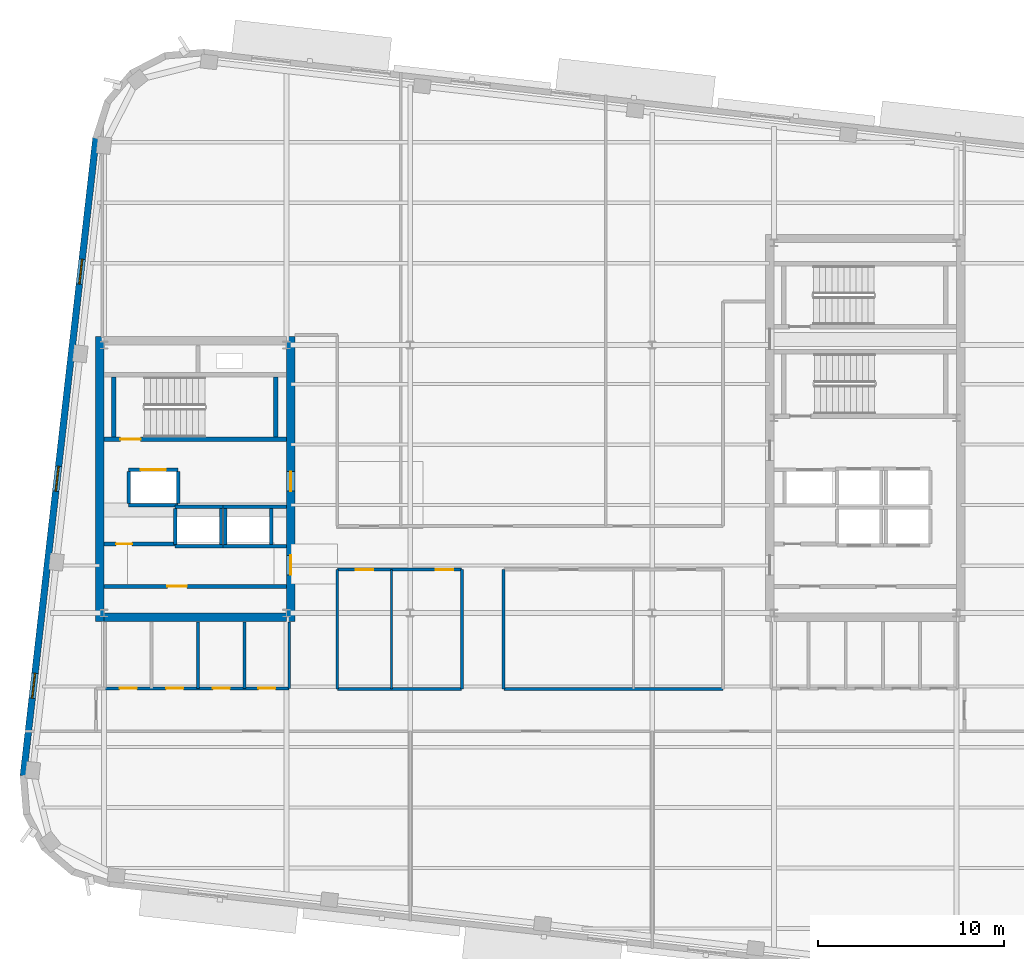
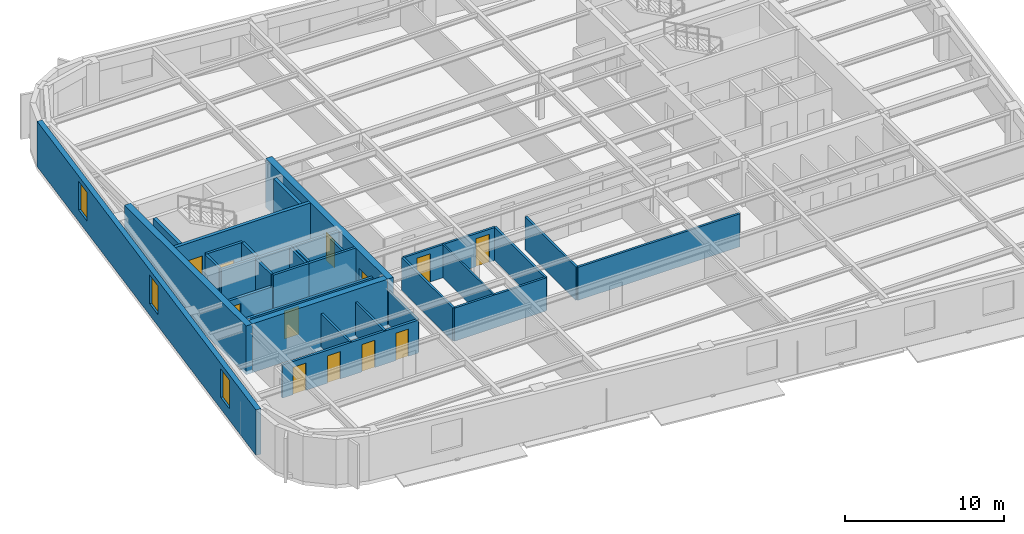
# One storey, part 6 of 14: 32 walls, 12 doors, 3 windows, 15 openings.
"""IFC4 building model written with IfcOpenShell, lengths in metres."""

from ifc_helpers import new_model, si_unit, direction, frame, frame_2d, origin, place, context, subcontext, project, spatial, rectangle, extrude, material, layer, layer_set, type_object, element, fill, save


model = new_model("IFC4")

# Units and contexts
model_context = context("Model", 3, precision=1e-05, world=origin(), true_north=direction((0.0, 1.0)))
body_context = subcontext(model_context, "Body", "Model", "MODEL_VIEW")
ifc_project = project(units=[si_unit("LENGTHUNIT", "METRE"), si_unit("AREAUNIT", "SQUARE_METRE"), si_unit("VOLUMEUNIT", "CUBIC_METRE"), si_unit("PLANEANGLEUNIT", "RADIAN"), si_unit("MASSUNIT", "GRAM", prefix="KILO")], contexts=[model_context])

# Site, building, storey
site_placement = place(None, origin())
site = spatial("IfcSite", under=ifc_project, at=site_placement, CompositionType="ELEMENT")
building_placement = place(site_placement, origin())
building = spatial("IfcBuilding", under=site, at=building_placement, Name="Kolvaren Arena Tower", CompositionType="ELEMENT")
storey_placement = place(building_placement, frame((0.0, 0.0, 258.449951171875)))
storey = spatial("IfcBuildingStorey", under=building, at=storey_placement, Name="L63", CompositionType="ELEMENT", Elevation=258.449951171875)

# Wall, openings, doors
ifc_material_1 = material(Name="Gypsum board acoustic assembly", Category="gypsum")
ifc_layer_1 = layer(ifc_material_1, 0.159912109375)
ifc_layer_set_1 = layer_set([ifc_layer_1], Name="Gypsum board acoustic assembly")
wall_type_1 = type_object("IfcWallType", Name="CORR-160", PredefinedType="PARTITIONING", material=ifc_layer_set_1)
wall_1_placement = place(storey_placement, frame((27.10009765625, 21.780029296875, 0.0), z_axis=(0.0, 0.0, 1.0), x_axis=(1.0, 0.0, 0.0)))
wall_1 = element("IfcWall", 1, at=wall_1_placement, inside=storey, type_object=wall_type_1, Name="Interior Partition Wall (L63)", PredefinedType="PARTITIONING", context=body_context, shape_type="SweptSolid", body=[
    extrude(rectangle(XDim=6.659912109375, YDim=0.159912109375, at=frame_2d((3.330078125, 0.0))), origin(), (0.0, 0.0, 1.0), 2.5400390625),
])
opening_1_placement = place(wall_1_placement, frame((0.97509765625, 0.0, 0.0)))
opening_1 = element("IfcOpeningElement", 2, at=opening_1_placement, cuts=wall_1, Name="Opening D05", PredefinedType="OPENING", context=body_context, shape_type="SweptSolid", body=[
    extrude(rectangle(XDim=0.949951171875, YDim=2.14990234375, at=frame_2d((0.47509765625, 1.074951171875))), frame((0.0, 0.08984375, 0.0), z_axis=(0.0, -1.0, 0.0), x_axis=(1.0, 0.0, 0.0)), (0.0, 0.0, 1.0), 0.179931640625),
])
opening_2_placement = place(wall_1_placement, frame((5.260009765625, 0.0, 0.0)))
opening_2 = element("IfcOpeningElement", 3, at=opening_2_placement, cuts=wall_1, Name="Opening D05", PredefinedType="OPENING", context=body_context, shape_type="SweptSolid", body=[
    extrude(rectangle(XDim=0.949951171875, YDim=2.14990234375, at=frame_2d((0.47509765625, 1.074951171875))), frame((0.0, 0.08984375, 0.0), z_axis=(0.0, -1.0, 0.0), x_axis=(1.0, 0.0, 0.0)), (0.0, 0.0, 1.0), 0.179931640625),
])
ifc_material_2 = material(Name="Solid-core oak acoustic office door", Category="wood")
door_type_1 = type_object("IfcDoorType", Name="DOOR-OF-095", OperationType="NOTDEFINED", PredefinedType="DOOR", material=ifc_material_2)
door_1_placement = place(opening_1_placement, origin())
door_1 = element("IfcDoor", 4, at=door_1_placement, inside=storey, type_object=door_type_1, Name="Open Plan Office Door (L63)", OperationType="SINGLE_SWING_LEFT", OverallHeight=2.14990234375, OverallWidth=0.949951171875, PredefinedType="DOOR", context=body_context, shape_type="SweptSolid", body=[
    extrude(rectangle(XDim=0.949951171875, YDim=2.14990234375, at=frame_2d((0.47509765625, 1.074951171875))), frame((0.0, 0.02490234375, 0.0), z_axis=(0.0, -1.0, 0.0), x_axis=(1.0, 0.0, 0.0)), (0.0, 0.0, 1.0), 0.050048828125),
])
fill(opening_1, door_1)
door_2_placement = place(opening_2_placement, origin())
door_2 = element("IfcDoor", 5, at=door_2_placement, inside=storey, type_object=door_type_1, Name="Open Plan Office Door (L63)", OperationType="SINGLE_SWING_RIGHT", OverallHeight=2.14990234375, OverallWidth=0.949951171875, PredefinedType="DOOR", context=body_context, shape_type="SweptSolid", body=[
    extrude(rectangle(XDim=0.949951171875, YDim=2.14990234375, at=frame_2d((0.47509765625, 1.074951171875))), frame((0.0, 0.02490234375, 0.0), z_axis=(0.0, -1.0, 0.0), x_axis=(1.0, 0.0, 0.0)), (0.0, 0.0, 1.0), 0.050048828125),
])
fill(opening_2, door_2)

# Walls
wall_2_placement = place(storey_placement, frame((27.10009765625, 15.3798828125, 0.0), z_axis=(0.0, 0.0, 1.0), x_axis=(1.0, 0.0, 0.0)))
element("IfcWall", 6, at=wall_2_placement, inside=storey, type_object=wall_type_1, Name="Interior Partition Wall (L63)", PredefinedType="PARTITIONING", context=body_context, shape_type="SweptSolid", body=[
    extrude(rectangle(XDim=6.659912109375, YDim=0.159912109375, at=frame_2d((3.330078125, 0.0))), origin(), (0.0, 0.0, 1.0), 2.5400390625),
])
wall_3_placement = place(storey_placement, frame((36.0400390625, 15.3798828125, 0.0), z_axis=(0.0, 0.0, 1.0), x_axis=(1.0, 0.0, 0.0)))
element("IfcWall", 7, at=wall_3_placement, inside=storey, type_object=wall_type_1, Name="Interior Partition Wall (L63)", PredefinedType="PARTITIONING", context=body_context, shape_type="SweptSolid", body=[
    extrude(rectangle(XDim=11.760009765625, YDim=0.159912109375, at=frame_2d((5.8798828125, 0.0))), origin(), (0.0, 0.0, 1.0), 2.5400390625),
])
for number, where, z_axis, x_axis, name in (
    (8, (33.780029296875, 15.3798828125, 0.0), (0.0, 0.0, 1.0), (0.0, 1.0, 0.0), "Interior Partition Wall (L63)"),
    (9, (36.02001953125, 15.3798828125, 0.0), (0.0, 0.0, 1.0), (0.0, 1.0, 0.0), "Interior Partition Wall (L63)"),
    (10, (27.080078125, 15.3798828125, 0.0), (0.0, 0.0, 1.0), (0.0, 1.0, 0.0), "Interior Partition Wall (L63)"),
):
    element("IfcWall", number, at=place(storey_placement, frame(where, z_axis=z_axis, x_axis=x_axis)), inside=storey, type_object=wall_type_1, Name=name, PredefinedType="PARTITIONING", context=body_context, shape_type="SweptSolid", body=[
        extrude(rectangle(XDim=6.400146484375, YDim=0.159912109375, at=frame_2d((3.2001953125, 0.0))), origin(), (0.0, 0.0, 1.0), 2.5400390625),
    ])
ifc_material_3 = material(Name="Concrete 55 MPa", Category="concrete")
ifc_layer_2 = layer(ifc_material_3, 0.449951171875)
ifc_layer_set_2 = layer_set([ifc_layer_2], Name="Concrete 55 MPa")
wall_type_2 = type_object("IfcWallType", Name="CWALL-450", PredefinedType="SHEAR", material=ifc_layer_set_2)
wall_4_placement = place(storey_placement, frame((14.324951171875, 19.0, -0.27001953125), z_axis=(0.0, 0.0, 1.0), x_axis=(0.0, 1.0, 0.0)))
element("IfcWall", 11, at=wall_4_placement, inside=storey, type_object=wall_type_2, Name="Core Shear Wall WC-WEST (L63)", PredefinedType="SHEAR", context=body_context, shape_type="SweptSolid", body=[
    extrude(rectangle(XDim=15.300048828125, YDim=0.449951171875, at=frame_2d((7.64990234375, 0.0))), origin(), (0.0, 0.0, 1.0), 3.75),
])

# Wall, openings, doors
wall_5_placement = place(storey_placement, frame((24.574951171875, 19.0, -0.27001953125), z_axis=(0.0, 0.0, 1.0), x_axis=(0.0, 1.0, 0.0)))
wall_5 = element("IfcWall", 12, at=wall_5_placement, inside=storey, type_object=wall_type_2, Name="Core Shear Wall WC-EAST (L63)", PredefinedType="SHEAR", context=body_context, shape_type="SweptSolid", body=[
    extrude(rectangle(XDim=15.300048828125, YDim=0.449951171875, at=frame_2d((7.64990234375, 0.0))), origin(), (0.0, 0.0, 1.0), 3.75),
])
opening_3_placement = place(wall_5_placement, frame((2.5, 0.0, 0.27001953125)))
opening_3 = element("IfcOpeningElement", 13, at=opening_3_placement, cuts=wall_5, Name="Opening D04", PredefinedType="OPENING", context=body_context, shape_type="SweptSolid", body=[
    extrude(rectangle(XDim=1.050048828125, YDim=2.14990234375, at=frame_2d((0.52490234375, 1.074951171875))), frame((0.0, 0.23486328125, 0.0), z_axis=(0.0, -1.0, 0.0), x_axis=(1.0, 0.0, 0.0)), (0.0, 0.0, 1.0), 0.469970703125),
])
opening_4_placement = place(wall_5_placement, frame((7.0, 0.0, 0.27001953125)))
opening_4 = element("IfcOpeningElement", 14, at=opening_4_placement, cuts=wall_5, Name="Opening D04", PredefinedType="OPENING", context=body_context, shape_type="SweptSolid", body=[
    extrude(rectangle(XDim=1.050048828125, YDim=2.14990234375, at=frame_2d((0.52490234375, 1.074951171875))), frame((0.0, 0.23486328125, 0.0), z_axis=(0.0, -1.0, 0.0), x_axis=(1.0, 0.0, 0.0)), (0.0, 0.0, 1.0), 0.469970703125),
])
ifc_material_4 = material(Name="Fire-rated steel lobby door", Category="steel")
door_type_2 = type_object("IfcDoorType", Name="DOOR-FF-105", OperationType="NOTDEFINED", PredefinedType="DOOR", material=ifc_material_4)
door_3_placement = place(opening_3_placement, origin())
door_3 = element("IfcDoor", 15, at=door_3_placement, inside=storey, type_object=door_type_2, Name="West Lift Lobby Fire Door (L63)", OperationType="SINGLE_SWING_LEFT", OverallHeight=2.14990234375, OverallWidth=1.050048828125, PredefinedType="DOOR", context=body_context, shape_type="SweptSolid", body=[
    extrude(rectangle(XDim=1.050048828125, YDim=2.14990234375, at=frame_2d((0.52490234375, 1.074951171875))), frame((0.0, 0.02490234375, 0.0), z_axis=(0.0, -1.0, 0.0), x_axis=(1.0, 0.0, 0.0)), (0.0, 0.0, 1.0), 0.050048828125),
])
fill(opening_3, door_3)
door_4_placement = place(opening_4_placement, origin())
door_4 = element("IfcDoor", 16, at=door_4_placement, inside=storey, type_object=door_type_2, Name="West Firefighter Vestibule Door (L63)", OperationType="SINGLE_SWING_RIGHT", OverallHeight=2.14990234375, OverallWidth=1.050048828125, PredefinedType="DOOR", context=body_context, shape_type="SweptSolid", body=[
    extrude(rectangle(XDim=1.050048828125, YDim=2.14990234375, at=frame_2d((0.52490234375, 1.074951171875))), frame((0.0, 0.02490234375, 0.0), z_axis=(0.0, -1.0, 0.0), x_axis=(1.0, 0.0, 0.0)), (0.0, 0.0, 1.0), 0.050048828125),
])
fill(opening_4, door_4)

# Wall
wall_6_placement = place(storey_placement, frame((14.550048828125, 19.22509765625, -0.27001953125), z_axis=(0.0, 0.0, 1.0), x_axis=(1.0, 0.0, 0.0)))
element("IfcWall", 17, at=wall_6_placement, inside=storey, type_object=wall_type_2, Name="Core Shear Wall WC-SOUTH (L63)", PredefinedType="SHEAR", context=body_context, shape_type="SweptSolid", body=[
    extrude(rectangle(XDim=9.800048828125, YDim=0.449951171875, at=frame_2d((4.89990234375, 0.0))), origin(), (0.0, 0.0, 1.0), 3.75),
])

# Wall, openings, windows
ifc_material_5 = material(Name="Precast concrete C50/60", Category="concrete")
ifc_layer_3 = layer(ifc_material_5, 0.360107421875)
ifc_layer_set_3 = layer_set([ifc_layer_3], Name="Precast concrete C50/60")
wall_type_3 = type_object("IfcWallType", Name="EXT-PIER2", PredefinedType="SOLIDWALL", material=ifc_layer_set_3)
wall_7_placement = place(storey_placement, frame((10.211181640625, 10.70068359375, 0.0), z_axis=(0.0, 0.0, 1.0), x_axis=(0.113203107947, 0.993571867733, 0.0)))
wall_7 = element("IfcWall", 18, at=wall_7_placement, inside=storey, type_object=wall_type_3, Name="Exterior Precast Masonry-Frame Wall (L63)", PredefinedType="SOLIDWALL", context=body_context, shape_type="SweptSolid", body=[
    extrude(rectangle(XDim=34.5, YDim=0.360107421875, at=frame_2d((17.25, 0.0))), origin(), (0.0, 0.0, 1.0), 3.47998046875),
])
opening_5_placement = place(wall_7_placement, frame((4.199951171875, 0.0, 0.8798828125)))
opening_5 = element("IfcOpeningElement", 19, at=opening_5_placement, cuts=wall_7, Name="Opening W04", PredefinedType="OPENING", context=body_context, shape_type="SweptSolid", body=[
    extrude(rectangle(XDim=1.35009765625, YDim=2.199951171875, at=frame_2d((0.675048828125, 1.10009765625))), frame((0.0, 0.18994140625, 0.0), z_axis=(0.0, -1.0, 0.0), x_axis=(1.0, 0.0, 0.0)), (0.0, 0.0, 1.0), 0.380126953125),
])
opening_6_placement = place(wall_7_placement, frame((15.39990234375, 0.0, 0.8798828125)))
opening_6 = element("IfcOpeningElement", 20, at=opening_6_placement, cuts=wall_7, Name="Opening W04", PredefinedType="OPENING", context=body_context, shape_type="SweptSolid", body=[
    extrude(rectangle(XDim=1.35009765625, YDim=2.199951171875, at=frame_2d((0.675048828125, 1.10009765625))), frame((0.0, 0.18994140625, 0.0), z_axis=(0.0, -1.0, 0.0), x_axis=(1.0, 0.0, 0.0)), (0.0, 0.0, 1.0), 0.380126953125),
])
opening_7_placement = place(wall_7_placement, frame((26.60009765625, 0.0, 0.8798828125)))
opening_7 = element("IfcOpeningElement", 21, at=opening_7_placement, cuts=wall_7, Name="Opening W04", PredefinedType="OPENING", context=body_context, shape_type="SweptSolid", body=[
    extrude(rectangle(XDim=1.35009765625, YDim=2.199951171875, at=frame_2d((0.675048828125, 1.10009765625))), frame((0.0, 0.18994140625, 0.0), z_axis=(0.0, -1.0, 0.0), x_axis=(1.0, 0.0, 0.0)), (0.0, 0.0, 1.0), 0.380126953125),
])
ifc_material_6 = material(Name="Triple-glazed curved-facet corner window", Category="glass")
window_type = type_object("IfcWindowType", Name="WIN-CRN-A", PartitioningType="SINGLE_PANEL", PredefinedType="WINDOW", material=ifc_material_6)
window_1_placement = place(opening_5_placement, origin())
window_1 = element("IfcWindow", 22, at=window_1_placement, inside=storey, type_object=window_type, Name="End-Wall Punched Window (L63)", OverallHeight=2.199951171875, OverallWidth=1.35009765625, PartitioningType="SINGLE_PANEL", PredefinedType="WINDOW", context=body_context, shape_type="SweptSolid", body=[
    extrude(rectangle(XDim=1.35009765625, YDim=2.199951171875, at=frame_2d((0.675048828125, 1.10009765625))), frame((0.0, 0.030029296875, 0.0), z_axis=(0.0, -1.0, 0.0), x_axis=(1.0, 0.0, 0.0)), (0.0, 0.0, 1.0), 0.06005859375),
])
fill(opening_5, window_1)
window_2_placement = place(opening_6_placement, origin())
window_2 = element("IfcWindow", 23, at=window_2_placement, inside=storey, type_object=window_type, Name="End-Wall Punched Window (L63)", OverallHeight=2.199951171875, OverallWidth=1.35009765625, PartitioningType="SINGLE_PANEL", PredefinedType="WINDOW", context=body_context, shape_type="SweptSolid", body=[
    extrude(rectangle(XDim=1.35009765625, YDim=2.199951171875, at=frame_2d((0.675048828125, 1.10009765625))), frame((0.0, 0.030029296875, 0.0), z_axis=(0.0, -1.0, 0.0), x_axis=(1.0, 0.0, 0.0)), (0.0, 0.0, 1.0), 0.06005859375),
])
fill(opening_6, window_2)
window_3_placement = place(opening_7_placement, origin())
window_3 = element("IfcWindow", 24, at=window_3_placement, inside=storey, type_object=window_type, Name="End-Wall Punched Window (L63)", OverallHeight=2.199951171875, OverallWidth=1.35009765625, PartitioningType="SINGLE_PANEL", PredefinedType="WINDOW", context=body_context, shape_type="SweptSolid", body=[
    extrude(rectangle(XDim=1.35009765625, YDim=2.199951171875, at=frame_2d((0.675048828125, 1.10009765625))), frame((0.0, 0.030029296875, 0.0), z_axis=(0.0, -1.0, 0.0), x_axis=(1.0, 0.0, 0.0)), (0.0, 0.0, 1.0), 0.06005859375),
])
fill(opening_7, window_3)

# Wall, opening, door
ifc_material_7 = material(Name="Concrete 40 MPa", Category="concrete")
ifc_layer_4 = layer(ifc_material_7, 0.199951171875)
ifc_layer_set_4 = layer_set([ifc_layer_4], Name="Concrete 40 MPa")
wall_type_4 = type_object("IfcWallType", Name="LOBBY-200", PredefinedType="SOLIDWALL", material=ifc_layer_set_4)
wall_8_placement = place(storey_placement, frame((14.550048828125, 20.8798828125, 0.0), z_axis=(0.0, 0.0, 1.0), x_axis=(1.0, 0.0, 0.0)))
wall_8 = element("IfcWall", 25, at=wall_8_placement, inside=storey, type_object=wall_type_4, Name="Core Shaft Wall (L63)", PredefinedType="SOLIDWALL", context=body_context, shape_type="SweptSolid", body=[
    extrude(rectangle(XDim=9.800048828125, YDim=0.199951171875, at=frame_2d((4.89990234375, 0.0))), origin(), (0.0, 0.0, 1.0), 2.5400390625),
])
opening_8_placement = place(wall_8_placement, frame((3.39990234375, 0.0, 0.0)))
opening_8 = element("IfcOpeningElement", 26, at=opening_8_placement, cuts=wall_8, Name="Opening D04", PredefinedType="OPENING", context=body_context, shape_type="SweptSolid", body=[
    extrude(rectangle(XDim=1.050048828125, YDim=2.14990234375, at=frame_2d((0.52490234375, 1.074951171875))), frame((0.0, 0.10986328125, 0.0), z_axis=(0.0, -1.0, 0.0), x_axis=(1.0, 0.0, 0.0)), (0.0, 0.0, 1.0), 0.219970703125),
])
door_5_placement = place(opening_8_placement, origin())
door_5 = element("IfcDoor", 27, at=door_5_placement, inside=storey, type_object=door_type_2, Name="West IT Room Fire Door (L63)", OperationType="SINGLE_SWING_LEFT", OverallHeight=2.14990234375, OverallWidth=1.050048828125, PredefinedType="DOOR", context=body_context, shape_type="SweptSolid", body=[
    extrude(rectangle(XDim=1.050048828125, YDim=2.14990234375, at=frame_2d((0.52490234375, 1.074951171875))), frame((0.0, 0.02490234375, 0.0), z_axis=(0.0, -1.0, 0.0), x_axis=(1.0, 0.0, 0.0)), (0.0, 0.0, 1.0), 0.050048828125),
])
fill(opening_8, door_5)

wall_9_placement = place(storey_placement, frame((14.550048828125, 23.159912109375, 0.0), z_axis=(0.0, 0.0, 1.0), x_axis=(1.0, 0.0, 0.0)))
wall_9 = element("IfcWall", 28, at=wall_9_placement, inside=storey, type_object=wall_type_4, Name="Core Shaft Wall (L63)", PredefinedType="SOLIDWALL", context=body_context, shape_type="SweptSolid", body=[
    extrude(rectangle(XDim=3.820068359375, YDim=0.199951171875, at=frame_2d((1.91015625, 0.0))), origin(), (0.0, 0.0, 1.0), 2.5400390625),
])
opening_9_placement = place(wall_9_placement, frame((0.64990234375, 0.0, 0.0)))
opening_9 = element("IfcOpeningElement", 29, at=opening_9_placement, cuts=wall_9, Name="Opening D09", PredefinedType="OPENING", context=body_context, shape_type="SweptSolid", body=[
    extrude(rectangle(XDim=0.860107421875, YDim=2.050048828125, at=frame_2d((0.43017578125, 1.02490234375))), frame((0.0, 0.10986328125, 0.0), z_axis=(0.0, -1.0, 0.0), x_axis=(1.0, 0.0, 0.0)), (0.0, 0.0, 1.0), 0.219970703125),
])
ifc_material_8 = material(Name="Fire-rated steel riser access door", Category="steel")
door_type_3 = type_object("IfcDoorType", Name="DOOR-RS-086", OperationType="NOTDEFINED", PredefinedType="DOOR", material=ifc_material_8)
door_6_placement = place(opening_9_placement, origin())
door_6 = element("IfcDoor", 30, at=door_6_placement, inside=storey, type_object=door_type_3, Name="West Document Archive Riser Door (L63)", OperationType="SINGLE_SWING_RIGHT", OverallHeight=2.050048828125, OverallWidth=0.860107421875, PredefinedType="DOOR", context=body_context, shape_type="SweptSolid", body=[
    extrude(rectangle(XDim=0.860107421875, YDim=2.050048828125, at=frame_2d((0.43017578125, 1.02490234375))), frame((0.0, 0.02490234375, 0.0), z_axis=(0.0, -1.0, 0.0), x_axis=(1.0, 0.0, 0.0)), (0.0, 0.0, 1.0), 0.050048828125),
])
fill(opening_9, door_6)

# Wall
ifc_material_9 = material(Name="Gypsum board partition assembly", Category="gypsum")
ifc_layer_5 = layer(ifc_material_9, 0.114990234375)
ifc_layer_set_5 = layer_set([ifc_layer_5], Name="Gypsum board partition assembly")
wall_type_5 = type_object("IfcWallType", Name="PART-115", PredefinedType="PARTITIONING", material=ifc_layer_set_5)
wall_10_placement = place(storey_placement, frame((30.0, 15.3798828125, 0.0), z_axis=(0.0, 0.0, 1.0), x_axis=(0.0, 1.0, 0.0)))
element("IfcWall", 31, at=wall_10_placement, inside=storey, type_object=wall_type_5, Name="Interior Partition Wall (L63)", PredefinedType="PARTITIONING", context=body_context, shape_type="SweptSolid", body=[
    extrude(rectangle(XDim=6.400146484375, YDim=0.114990234375, at=frame_2d((3.2001953125, 0.0))), origin(), (0.0, 0.0, 1.0), 2.5400390625),
])

# Wall, opening, door
ifc_material_10 = material(Name="Concrete 45 MPa", Category="concrete")
ifc_layer_6 = layer(ifc_material_10, 0.25)
ifc_layer_set_6 = layer_set([ifc_layer_6], Name="Concrete 45 MPa")
wall_type_6 = type_object("IfcWallType", Name="SHAFT-250", PredefinedType="SOLIDWALL", material=ifc_layer_set_6)
wall_11_placement = place(storey_placement, frame((24.35009765625, 28.780029296875, 0.0), z_axis=(0.0, 0.0, 1.0), x_axis=(-1.0, 0.0, 0.0)))
wall_11 = element("IfcWall", 32, at=wall_11_placement, inside=storey, type_object=wall_type_6, Name="Core Shaft Wall (L63)", PredefinedType="SOLIDWALL", context=body_context, shape_type="SweptSolid", body=[
    extrude(rectangle(XDim=9.800048828125, YDim=0.239990234375, at=frame_2d((4.89990234375, 0.0))), origin(), (0.0, 0.0, 1.0), 3.47998046875),
])
opening_10_placement = place(wall_11_placement, frame((7.830078125, 0.0, 0.0)))
opening_10 = element("IfcOpeningElement", 33, at=opening_10_placement, cuts=wall_11, Name="Opening D03", PredefinedType="OPENING", context=body_context, shape_type="SweptSolid", body=[
    extrude(rectangle(XDim=1.10009765625, YDim=2.14990234375, at=frame_2d((0.550048828125, 1.074951171875))), frame((0.0, 0.1298828125, 0.0), z_axis=(0.0, -1.0, 0.0), x_axis=(1.0, 0.0, 0.0)), (0.0, 0.0, 1.0), 0.260009765625),
])
ifc_material_11 = material(Name="Fire-rated steel exit stair door", Category="steel")
door_type_4 = type_object("IfcDoorType", Name="DOOR-ST-110", OperationType="NOTDEFINED", PredefinedType="DOOR", material=ifc_material_11)
door_7_placement = place(opening_10_placement, origin())
door_7 = element("IfcDoor", 34, at=door_7_placement, inside=storey, type_object=door_type_4, Name="Stair ST-W1 Fire Door (L63)", OperationType="SINGLE_SWING_RIGHT", OverallHeight=2.14990234375, OverallWidth=1.10009765625, PredefinedType="DOOR", context=body_context, shape_type="SweptSolid", body=[
    extrude(rectangle(XDim=1.10009765625, YDim=2.14990234375, at=frame_2d((0.550048828125, 1.074951171875))), frame((0.0, 0.02490234375, 0.0), z_axis=(0.0, -1.0, 0.0), x_axis=(1.0, 0.0, 0.0)), (0.0, 0.0, 1.0), 0.050048828125),
])
fill(opening_10, door_7)

# Walls
for number, where, z_axis, x_axis, name in (
    (35, (15.06005859375, 28.89990234375, 0.0), (0.0, 0.0, 1.0), (0.0, 1.0, 0.0), "Core Shaft Wall (L63)"),
    (36, (23.780029296875, 28.89990234375, 0.0), (0.0, 0.0, 1.0), (0.0, 1.0, 0.0), "Core Shaft Wall (L63)"),
):
    element("IfcWall", number, at=place(storey_placement, frame(where, z_axis=z_axis, x_axis=x_axis)), inside=storey, type_object=wall_type_6, Name=name, PredefinedType="SOLIDWALL", context=body_context, shape_type="SweptSolid", body=[
        extrude(rectangle(XDim=3.22998046875, YDim=0.239990234375, at=frame_2d((1.614990234375, 0.0))), origin(), (0.0, 0.0, 1.0), 3.47998046875),
    ])
for number, where, z_axis, x_axis, name in (
    (37, (18.3701171875, 25.155029296875, 0.0), (0.0, 0.0, 1.0), (1.0, 0.0, 0.0), "Core Shaft Wall (L63)"),
    (38, (18.3701171875, 23.044921875, 0.0), (0.0, 0.0, 1.0), (1.0, 0.0, 0.0), "Core Shaft Wall (L63)"),
):
    element("IfcWall", number, at=place(storey_placement, frame(where, z_axis=z_axis, x_axis=x_axis)), inside=storey, type_object=wall_type_6, Name=name, PredefinedType="SOLIDWALL", context=body_context, shape_type="SweptSolid", body=[
        extrude(rectangle(XDim=2.579833984375, YDim=0.179931640625, at=frame_2d((1.2900390625, 0.0))), origin(), (0.0, 0.0, 1.0), 3.47998046875),
    ])
for number, where, z_axis, x_axis, name in (
    (39, (18.3701171875, 23.135009765625, 0.0), (0.0, 0.0, 1.0), (0.0, 1.0, 0.0), "Core Shaft Wall (L63)"),
    (40, (20.830078125, 23.135009765625, 0.0), (0.0, 0.0, 1.0), (0.0, 1.0, 0.0), "Core Shaft Wall (L63)"),
):
    element("IfcWall", number, at=place(storey_placement, frame(where, z_axis=z_axis, x_axis=x_axis)), inside=storey, type_object=wall_type_6, Name=name, PredefinedType="SOLIDWALL", context=body_context, shape_type="SweptSolid", body=[
        extrude(rectangle(XDim=1.929931640625, YDim=0.179931640625, at=frame_2d((0.96484375, 0.0))), origin(), (0.0, 0.0, 1.0), 3.47998046875),
    ])
for number, where, z_axis, x_axis, name in (
    (41, (20.949951171875, 25.155029296875, 0.0), (0.0, 0.0, 1.0), (1.0, 0.0, 0.0), "Core Shaft Wall (L63)"),
    (42, (20.949951171875, 23.044921875, 0.0), (0.0, 0.0, 1.0), (1.0, 0.0, 0.0), "Core Shaft Wall (L63)"),
):
    element("IfcWall", number, at=place(storey_placement, frame(where, z_axis=z_axis, x_axis=x_axis)), inside=storey, type_object=wall_type_6, Name=name, PredefinedType="SOLIDWALL", context=body_context, shape_type="SweptSolid", body=[
        extrude(rectangle(XDim=3.400146484375, YDim=0.179931640625, at=frame_2d((1.7001953125, 0.0))), origin(), (0.0, 0.0, 1.0), 3.47998046875),
    ])
for number, where, z_axis, x_axis, name in (
    (43, (21.070068359375, 23.135009765625, 0.0), (0.0, 0.0, 1.0), (0.0, 1.0, 0.0), "Core Shaft Wall (L63)"),
    (44, (23.530029296875, 23.135009765625, 0.0), (0.0, 0.0, 1.0), (0.0, 1.0, 0.0), "Core Shaft Wall (L63)"),
):
    element("IfcWall", number, at=place(storey_placement, frame(where, z_axis=z_axis, x_axis=x_axis)), inside=storey, type_object=wall_type_6, Name=name, PredefinedType="SOLIDWALL", context=body_context, shape_type="SweptSolid", body=[
        extrude(rectangle(XDim=1.929931640625, YDim=0.179931640625, at=frame_2d((0.96484375, 0.0))), origin(), (0.0, 0.0, 1.0), 3.47998046875),
    ])

# Wall, opening, door
wall_12_placement = place(storey_placement, frame((15.8701171875, 27.155029296875, 0.0), z_axis=(0.0, 0.0, 1.0), x_axis=(1.0, 0.0, 0.0)))
wall_12 = element("IfcWall", 45, at=wall_12_placement, inside=storey, type_object=wall_type_6, Name="Core Shaft Wall (L63)", PredefinedType="SOLIDWALL", context=body_context, shape_type="SweptSolid", body=[
    extrude(rectangle(XDim=2.659912109375, YDim=0.179931640625, at=frame_2d((1.330078125, 0.0))), origin(), (0.0, 0.0, 1.0), 3.47998046875),
])
opening_11_placement = place(wall_12_placement, frame((0.655029296875, 0.0, 0.0)))
opening_11 = element("IfcOpeningElement", 46, at=opening_11_placement, cuts=wall_12, Name="Opening LD2", PredefinedType="OPENING", context=body_context, shape_type="SweptSolid", body=[
    extrude(rectangle(XDim=1.35009765625, YDim=2.300048828125, at=frame_2d((0.675048828125, 1.14990234375))), frame((0.0, 0.099853515625, 0.0), z_axis=(0.0, -1.0, 0.0), x_axis=(1.0, 0.0, 0.0)), (0.0, 0.0, 1.0), 0.199951171875),
])
ifc_material_12 = material(Name="Stainless steel firefighter lift landing door", Category="steel")
door_type_5 = type_object("IfcDoorType", Name="DOOR-LD-135", OperationType="DOUBLE_DOOR_SLIDING", PredefinedType="DOOR", material=ifc_material_12)
door_8_placement = place(opening_11_placement, origin())
door_8 = element("IfcDoor", 47, at=door_8_placement, inside=storey, type_object=door_type_5, Name="Firefighter Lift FF-W1 Landing Door (L63)", OperationType="DOUBLE_DOOR_SLIDING", OverallHeight=2.300048828125, OverallWidth=1.35009765625, PredefinedType="DOOR", context=body_context, shape_type="SweptSolid", body=[
    extrude(rectangle(XDim=1.35009765625, YDim=2.300048828125, at=frame_2d((0.675048828125, 1.14990234375))), frame((0.0, 0.02490234375, 0.0), z_axis=(0.0, -1.0, 0.0), x_axis=(1.0, 0.0, 0.0)), (0.0, 0.0, 1.0), 0.050048828125),
])
fill(opening_11, door_8)

# Walls
wall_13_placement = place(storey_placement, frame((15.8701171875, 25.2451171875, 0.0), z_axis=(0.0, 0.0, 1.0), x_axis=(1.0, 0.0, 0.0)))
element("IfcWall", 48, at=wall_13_placement, inside=storey, type_object=wall_type_6, Name="Core Shaft Wall (L63)", PredefinedType="SOLIDWALL", context=body_context, shape_type="SweptSolid", body=[
    extrude(rectangle(XDim=2.659912109375, YDim=0.179931640625, at=frame_2d((1.330078125, 0.0))), origin(), (0.0, 0.0, 1.0), 3.47998046875),
])
for number, where, z_axis, x_axis, name in (
    (49, (15.8701171875, 25.3349609375, 0.0), (0.0, 0.0, 1.0), (0.0, 1.0, 0.0), "Core Shaft Wall (L63)"),
    (50, (18.530029296875, 25.3349609375, 0.0), (0.0, 0.0, 1.0), (0.0, 1.0, 0.0), "Core Shaft Wall (L63)"),
):
    element("IfcWall", number, at=place(storey_placement, frame(where, z_axis=z_axis, x_axis=x_axis)), inside=storey, type_object=wall_type_6, Name=name, PredefinedType="SOLIDWALL", context=body_context, shape_type="SweptSolid", body=[
        extrude(rectangle(XDim=1.72998046875, YDim=0.179931640625, at=frame_2d((0.864990234375, 0.0))), origin(), (0.0, 0.0, 1.0), 3.47998046875),
    ])
ifc_material_13 = material(Name="Moisture-resistant gypsum assembly", Category="gypsum")
ifc_layer_7 = layer(ifc_material_13, 0.14990234375)
ifc_layer_set_7 = layer_set([ifc_layer_7], Name="Moisture-resistant gypsum assembly")
wall_type_7 = type_object("IfcWallType", Name="WETW-150", PredefinedType="PARTITIONING", material=ifc_layer_set_7)
for number, where, z_axis, x_axis, name in (
    (51, (19.60009765625, 15.39990234375, 0.0), (0.0, 0.0, 1.0), (0.0, 1.0, 0.0), "Interior Partition Wall (L63)"),
    (52, (22.10009765625, 15.39990234375, 0.0), (0.0, 0.0, 1.0), (0.0, 1.0, 0.0), "Interior Partition Wall (L63)"),
):
    element("IfcWall", number, at=place(storey_placement, frame(where, z_axis=z_axis, x_axis=x_axis)), inside=storey, type_object=wall_type_7, Name=name, PredefinedType="PARTITIONING", context=body_context, shape_type="SweptSolid", body=[
        extrude(rectangle(XDim=3.580078125, YDim=0.14990234375, at=frame_2d((1.7900390625, 0.0))), origin(), (0.0, 0.0, 1.0), 2.5400390625),
    ])

# Wall, openings, doors
wall_14_placement = place(storey_placement, frame((14.60009765625, 15.39990234375, 0.0), z_axis=(0.0, 0.0, 1.0), x_axis=(1.0, 0.0, 0.0)))
wall_14 = element("IfcWall", 53, at=wall_14_placement, inside=storey, type_object=wall_type_7, Name="Interior Partition Wall (L63)", PredefinedType="PARTITIONING", context=body_context, shape_type="SweptSolid", body=[
    extrude(rectangle(XDim=9.89990234375, YDim=0.179931640625, at=frame_2d((4.949951171875, 0.0))), origin(), (0.0, 0.0, 1.0), 2.5400390625),
])
opening_12_placement = place(wall_14_placement, frame((0.7900390625, 0.0, 0.0)))
opening_12 = element("IfcOpeningElement", 54, at=opening_12_placement, cuts=wall_14, Name="Opening D07", PredefinedType="OPENING", context=body_context, shape_type="SweptSolid", body=[
    extrude(rectangle(XDim=0.919921875, YDim=2.10009765625, at=frame_2d((0.4599609375, 1.050048828125))), frame((0.0, 0.099853515625, 0.0), z_axis=(0.0, -1.0, 0.0), x_axis=(1.0, 0.0, 0.0)), (0.0, 0.0, 1.0), 0.199951171875),
])
opening_13_placement = place(wall_14_placement, frame((3.2900390625, 0.0, 0.0)))
opening_13 = element("IfcOpeningElement", 55, at=opening_13_placement, cuts=wall_14, Name="Opening D07", PredefinedType="OPENING", context=body_context, shape_type="SweptSolid", body=[
    extrude(rectangle(XDim=0.919921875, YDim=2.10009765625, at=frame_2d((0.4599609375, 1.050048828125))), frame((0.0, 0.099853515625, 0.0), z_axis=(0.0, -1.0, 0.0), x_axis=(1.0, 0.0, 0.0)), (0.0, 0.0, 1.0), 0.199951171875),
])
opening_14_placement = place(wall_14_placement, frame((5.7900390625, 0.0, 0.0)))
opening_14 = element("IfcOpeningElement", 56, at=opening_14_placement, cuts=wall_14, Name="Opening D07", PredefinedType="OPENING", context=body_context, shape_type="SweptSolid", body=[
    extrude(rectangle(XDim=0.919921875, YDim=2.10009765625, at=frame_2d((0.4599609375, 1.050048828125))), frame((0.0, 0.099853515625, 0.0), z_axis=(0.0, -1.0, 0.0), x_axis=(1.0, 0.0, 0.0)), (0.0, 0.0, 1.0), 0.199951171875),
])
opening_15_placement = place(wall_14_placement, frame((8.239990234375, 0.0, 0.0)))
opening_15 = element("IfcOpeningElement", 57, at=opening_15_placement, cuts=wall_14, Name="Opening D07", PredefinedType="OPENING", context=body_context, shape_type="SweptSolid", body=[
    extrude(rectangle(XDim=0.919921875, YDim=2.10009765625, at=frame_2d((0.4599609375, 1.050048828125))), frame((0.0, 0.099853515625, 0.0), z_axis=(0.0, -1.0, 0.0), x_axis=(1.0, 0.0, 0.0)), (0.0, 0.0, 1.0), 0.199951171875),
])
ifc_material_14 = material(Name="Laminate universal washroom door", Category="wood")
door_type_6 = type_object("IfcDoorType", Name="DOOR-WC-092", OperationType="NOTDEFINED", PredefinedType="DOOR", material=ifc_material_14)
door_9_placement = place(opening_12_placement, origin())
door_9 = element("IfcDoor", 58, at=door_9_placement, inside=storey, type_object=door_type_6, Name="Women Restroom Door (L63)", OperationType="SINGLE_SWING_LEFT", OverallHeight=2.10009765625, OverallWidth=0.919921875, PredefinedType="DOOR", context=body_context, shape_type="SweptSolid", body=[
    extrude(rectangle(XDim=0.919921875, YDim=2.10009765625, at=frame_2d((0.4599609375, 1.050048828125))), frame((0.0, 0.02490234375, 0.0), z_axis=(0.0, -1.0, 0.0), x_axis=(1.0, 0.0, 0.0)), (0.0, 0.0, 1.0), 0.050048828125),
])
fill(opening_12, door_9)
door_10_placement = place(opening_13_placement, origin())
door_10 = element("IfcDoor", 59, at=door_10_placement, inside=storey, type_object=door_type_6, Name="Men Restroom Door (L63)", OperationType="SINGLE_SWING_RIGHT", OverallHeight=2.10009765625, OverallWidth=0.919921875, PredefinedType="DOOR", context=body_context, shape_type="SweptSolid", body=[
    extrude(rectangle(XDim=0.919921875, YDim=2.10009765625, at=frame_2d((0.4599609375, 1.050048828125))), frame((0.0, 0.02490234375, 0.0), z_axis=(0.0, -1.0, 0.0), x_axis=(1.0, 0.0, 0.0)), (0.0, 0.0, 1.0), 0.050048828125),
])
fill(opening_13, door_10)
door_11_placement = place(opening_14_placement, origin())
door_11 = element("IfcDoor", 60, at=door_11_placement, inside=storey, type_object=door_type_6, Name="Universal Barrier-Free Washroom Door (L63)", OperationType="SINGLE_SWING_LEFT", OverallHeight=2.10009765625, OverallWidth=0.919921875, PredefinedType="DOOR", context=body_context, shape_type="SweptSolid", body=[
    extrude(rectangle(XDim=0.919921875, YDim=2.10009765625, at=frame_2d((0.4599609375, 1.050048828125))), frame((0.0, 0.02490234375, 0.0), z_axis=(0.0, -1.0, 0.0), x_axis=(1.0, 0.0, 0.0)), (0.0, 0.0, 1.0), 0.050048828125),
])
fill(opening_14, door_11)
door_12_placement = place(opening_15_placement, origin())
door_12 = element("IfcDoor", 61, at=door_12_placement, inside=storey, type_object=door_type_6, Name="Linen Store Door (L63)", OperationType="SINGLE_SWING_RIGHT", OverallHeight=2.10009765625, OverallWidth=0.919921875, PredefinedType="DOOR", context=body_context, shape_type="SweptSolid", body=[
    extrude(rectangle(XDim=0.919921875, YDim=2.10009765625, at=frame_2d((0.4599609375, 1.050048828125))), frame((0.0, 0.02490234375, 0.0), z_axis=(0.0, -1.0, 0.0), x_axis=(1.0, 0.0, 0.0)), (0.0, 0.0, 1.0), 0.050048828125),
])
fill(opening_15, door_12)

# Wall
wall_15_placement = place(storey_placement, frame((24.5, 15.39990234375, 0.0), z_axis=(0.0, 0.0, 1.0), x_axis=(0.0, 1.0, 0.0)))
element("IfcWall", 62, at=wall_15_placement, inside=storey, type_object=wall_type_7, Name="Interior Partition Wall (L63)", PredefinedType="PARTITIONING", context=body_context, shape_type="SweptSolid", body=[
    extrude(rectangle(XDim=3.580078125, YDim=0.14990234375, at=frame_2d((1.7900390625, 0.0))), origin(), (0.0, 0.0, 1.0), 2.5400390625),
])

save(model, "model.ifc")
